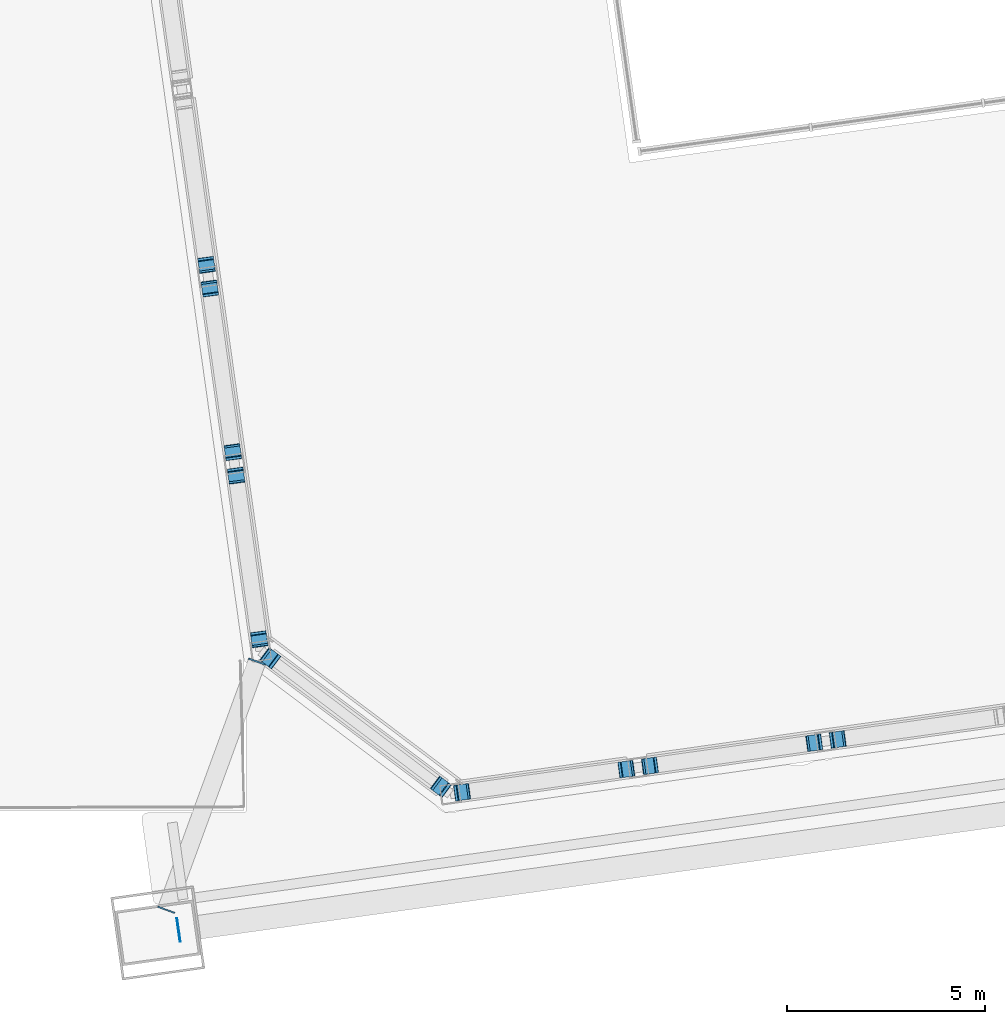
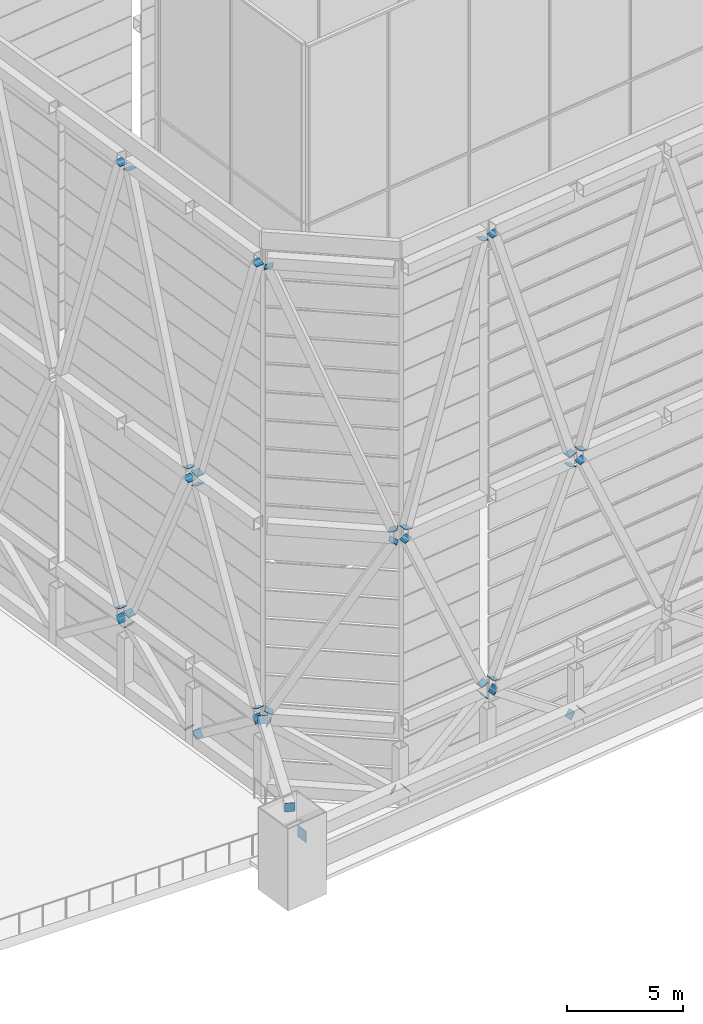
# One storey, part 36 of 45: 39 discrete accessories.
"""IFC4 building model written with IfcOpenShell, lengths in metres."""

from ifc_helpers import new_model, si_unit, direction, frame, origin, origin_2d, place, context, subcontext, project, spatial, rectangle, extrude, material, material_profile, profile_set, type_object, element, save


model = new_model("IFC4")

# Units and contexts
model_context = context("Model", 3, precision=1e-05, world=origin(), true_north=direction((0.0, 1.0)))
body_context = subcontext(model_context, "Body", "Model", "MODEL_VIEW")
ifc_project = project(units=[si_unit("LENGTHUNIT", "METRE"), si_unit("AREAUNIT", "SQUARE_METRE"), si_unit("VOLUMEUNIT", "CUBIC_METRE"), si_unit("PLANEANGLEUNIT", "RADIAN"), si_unit("MASSUNIT", "GRAM", prefix="KILO")], contexts=[model_context])

# Site, building, storey
site_placement = place(None, origin())
site = spatial("IfcSite", under=ifc_project, at=site_placement, CompositionType="ELEMENT")
building_placement = place(site_placement, origin())
building = spatial("IfcBuilding", under=site, at=building_placement, Name="Mirante Cascada Hotel Towers", CompositionType="ELEMENT")
storey_placement = place(building_placement, frame((0.0, 0.0, 269.8)))
storey = spatial("IfcBuildingStorey", under=building, at=storey_placement, Name="Roof garden", CompositionType="ELEMENT", Elevation=269.8)

# Discrete accessories
ifc_material_1 = material(Name="Steel ASTM A572 Gr 50", Category="steel")
ifc_material_profile_1 = material_profile(ifc_material_1, rectangle(XDim=0.4, YDim=0.4, at=origin_2d()), Name="Connection plate 400x400x25 ASTM A572 Gr 50")
ifc_profile_set_1 = profile_set([ifc_material_profile_1], Name="Steel ASTM A572 Gr 50")
discrete_accessory_type_1 = type_object("IfcDiscreteAccessoryType", Name="Connection plate 400x400x25 ASTM A572 Gr 50", PredefinedType="BRACKET", material=ifc_profile_set_1)
for number, where, z_axis, x_axis, name in (
    (1, (21.2609, -21.754, 0.5938), (-0.6936389, 0.5212316, 0.4971747), (-0.6007391, -0.7994451, 0.0), "Connection plate HT-D"),
    (2, (16.9553, -18.5095, 3.6938), (-0.6936389, 0.5212316, 0.4971747), (-0.6007391, -0.7994451, 0.0), "Connection plate HT-D"),
):
    element("IfcDiscreteAccessory", number, at=place(storey_placement, frame(where, z_axis=z_axis, x_axis=x_axis)), inside=storey, type_object=discrete_accessory_type_1, Name=name, PredefinedType="BRACKET", context=body_context, shape_type="SweptSolid", body=[
        extrude(rectangle(XDim=0.4, YDim=0.4, at=origin_2d()), origin(), (0.0, 0.0, 1.0), 0.0249),
    ])
discrete_accessory_1_placement = place(storey_placement, frame((16.0834, -13.8848, 0.5925), z_axis=(0.1116566, -0.7935596, 0.5981605), x_axis=(0.9902459, 0.1393311, 0.0)))
element("IfcDiscreteAccessory", 3, at=discrete_accessory_1_placement, inside=storey, type_object=discrete_accessory_type_1, Name="Connection plate HT-D", PredefinedType="BRACKET", context=body_context, shape_type="SweptSolid", body=[
    extrude(rectangle(XDim=0.4, YDim=0.4, at=origin_2d()), origin(), (0.0, 0.0, 1.0), 0.0251),
])
discrete_accessory_2_placement = place(storey_placement, frame((16.6639, -18.0155, 3.6925), z_axis=(0.1120108, -0.792076, 0.6000576), x_axis=(0.9901485, 0.140021, 0.0)))
element("IfcDiscreteAccessory", 4, at=discrete_accessory_2_placement, inside=storey, type_object=discrete_accessory_type_1, Name="Connection plate HT-D", PredefinedType="BRACKET", context=body_context, shape_type="SweptSolid", body=[
    extrude(rectangle(XDim=0.4, YDim=0.4, at=origin_2d()), origin(), (0.0, 0.0, 1.0), 0.025),
])
for number, where, z_axis, x_axis, name in (
    (5, (16.0027, -13.3106, 0.5925), (-0.1116566, 0.7935596, 0.5981605), (-0.9902459, -0.1393311, 0.0), "Connection plate HT-D"),
    (6, (15.4222, -9.18, 3.6925), (-0.1116566, 0.7935596, 0.5981605), (-0.9902459, -0.1393311, 0.0), "Connection plate HT-D"),
    (7, (15.3359, -8.5659, 3.6925), (0.1116566, -0.7935596, 0.5981605), (0.9902459, 0.1393311, 0.0), "Connection plate HT-D"),
):
    element("IfcDiscreteAccessory", number, at=place(storey_placement, frame(where, z_axis=z_axis, x_axis=x_axis)), inside=storey, type_object=discrete_accessory_type_1, Name=name, PredefinedType="BRACKET", context=body_context, shape_type="SweptSolid", body=[
        extrude(rectangle(XDim=0.4, YDim=0.4, at=origin_2d()), origin(), (0.0, 0.0, 1.0), 0.0251),
    ])
for number, where, z_axis, x_axis, name in (
    (8, (31.2608, -20.5551, 0.5926), (0.7973471, 0.1121895, 0.5930018), (-0.1393311, 0.9902459, 0.0), "Connection plate HT-D"),
    (9, (30.6865, -20.6358, 0.5926), (-0.7973471, -0.1121895, 0.5930018), (0.1393311, -0.9902459, 0.0), "Connection plate HT-D"),
    (10, (26.5398, -21.2186, 3.6926), (-0.7973471, -0.1121895, 0.5930018), (0.1393311, -0.9902459, 0.0), "Connection plate HT-D"),
    (11, (21.779, -21.8877, 0.5926), (0.7973471, 0.1121895, 0.5930018), (-0.1393311, 0.9902459, 0.0), "Connection plate HT-D"),
    (12, (25.9257, -21.3049, 3.6926), (0.7973471, 0.1121895, 0.5930018), (-0.1393311, 0.9902459, 0.0), "Connection plate HT-D"),
):
    element("IfcDiscreteAccessory", number, at=place(storey_placement, frame(where, z_axis=z_axis, x_axis=x_axis)), inside=storey, type_object=discrete_accessory_type_1, Name=name, PredefinedType="BRACKET", context=body_context, shape_type="SweptSolid", body=[
        extrude(rectangle(XDim=0.4, YDim=0.4, at=origin_2d()), origin(), (0.0, 0.0, 1.0), 0.025),
    ])
for number, where, z_axis, x_axis, name in (
    (13, (16.9417, -18.4993, 4.2892), (0.3973309, -0.3010083, 0.8669038), (0.6038577, 0.7970921, 0.0), "Connection plate CF-B"),
    (14, (21.2473, -21.7438, 13.6892), (0.3978086, -0.2973519, 0.867946), (0.5987047, 0.8009698, 0.0), "Connection plate CF-B"),
    (15, (16.666, -18.0304, 4.2886), (-0.0561439, 0.4010279, 0.9143437), (-0.9903417, -0.1386478, 0.0), "Connection plate CF-B"),
    (16, (16.0855, -13.8998, 13.6886), (-0.0561439, 0.4010279, 0.9143437), (-0.9903417, -0.1386478, 0.0), "Connection plate CF-B"),
    (17, (15.4201, -9.165, 4.2886), (0.0561439, -0.4010279, 0.9143437), (0.9903417, 0.1386478, 0.0), "Connection plate CF-B"),
    (18, (16.0006, -13.2956, 13.6886), (0.0561439, -0.4010279, 0.9143437), (0.9903417, 0.1386478, 0.0), "Connection plate CF-B"),
):
    element("IfcDiscreteAccessory", number, at=place(storey_placement, frame(where, z_axis=z_axis, x_axis=x_axis)), inside=storey, type_object=discrete_accessory_type_1, Name=name, PredefinedType="BRACKET", context=body_context, shape_type="SweptSolid", body=[
        extrude(rectangle(XDim=0.4, YDim=0.4, at=origin_2d()), origin(), (0.0, 0.0, 1.0), 0.0249),
    ])
discrete_accessory_3_placement = place(storey_placement, frame((15.338, -8.5809, 4.2886), z_axis=(-0.0560534, 0.4043852, 0.9128695), x_axis=(-0.9905294, -0.1373011, 0.0)))
element("IfcDiscreteAccessory", 19, at=discrete_accessory_3_placement, inside=storey, type_object=discrete_accessory_type_1, Name="Connection plate CF-B", PredefinedType="BRACKET", context=body_context, shape_type="SweptSolid", body=[
    extrude(rectangle(XDim=0.4, YDim=0.4, at=origin_2d()), origin(), (0.0, 0.0, 1.0), 0.025),
])
for number, where, z_axis, x_axis, name in (
    (20, (31.2757, -20.553, 13.6886), (-0.4010279, -0.0561439, 0.9143437), (0.1386478, -0.9903417, 0.0), "Connection plate CF-B"),
    (21, (26.5248, -21.2207, 4.2886), (0.4010279, 0.0561439, 0.9143437), (-0.1386478, 0.9903417, 0.0), "Connection plate CF-B"),
):
    element("IfcDiscreteAccessory", number, at=place(storey_placement, frame(where, z_axis=z_axis, x_axis=x_axis)), inside=storey, type_object=discrete_accessory_type_1, Name=name, PredefinedType="BRACKET", context=body_context, shape_type="SweptSolid", body=[
        extrude(rectangle(XDim=0.4, YDim=0.4, at=origin_2d()), origin(), (0.0, 0.0, 1.0), 0.0249),
    ])
for number, where, z_axis, x_axis, name in (
    (22, (30.6715, -20.6379, 13.6886), (0.4043852, 0.0560534, 0.9128695), (-0.1373011, 0.9905294, 0.0), "Connection plate CF-B"),
    (23, (25.9407, -21.3028, 4.2886), (-0.4043852, -0.0560534, 0.9128695), (0.1373011, -0.9905294, 0.0), "Connection plate CF-B"),
):
    element("IfcDiscreteAccessory", number, at=place(storey_placement, frame(where, z_axis=z_axis, x_axis=x_axis)), inside=storey, type_object=discrete_accessory_type_1, Name=name, PredefinedType="BRACKET", context=body_context, shape_type="SweptSolid", body=[
        extrude(rectangle(XDim=0.4, YDim=0.4, at=origin_2d()), origin(), (0.0, 0.0, 1.0), 0.025),
    ])
discrete_accessory_4_placement = place(storey_placement, frame((21.7939, -21.8856, 13.6886), z_axis=(-0.4010279, -0.0561439, 0.9143437), x_axis=(0.1386478, -0.9903417, 0.0)))
element("IfcDiscreteAccessory", 24, at=discrete_accessory_4_placement, inside=storey, type_object=discrete_accessory_type_1, Name="Connection plate CF-B", PredefinedType="BRACKET", context=body_context, shape_type="SweptSolid", body=[
    extrude(rectangle(XDim=0.4, YDim=0.4, at=origin_2d()), origin(), (0.0, 0.0, 1.0), 0.0249),
])
for number, where, z_axis, x_axis, name in (
    (25, (21.256, -21.7503, 14.2884), (-0.2997962, 0.2238478, 0.9273696), (-0.5982892, -0.8012802, 0.0), "Connection plate CF-B"),
    (26, (16.9504, -18.5058, 27.6384), (-0.2997962, 0.2238478, 0.9273696), (-0.5982892, -0.8012802, 0.0), "Connection plate CF-B"),
):
    element("IfcDiscreteAccessory", number, at=place(storey_placement, frame(where, z_axis=z_axis, x_axis=x_axis)), inside=storey, type_object=discrete_accessory_type_1, Name=name, PredefinedType="BRACKET", context=body_context, shape_type="SweptSolid", body=[
        extrude(rectangle(XDim=0.4, YDim=0.4, at=origin_2d()), origin(), (0.0, 0.0, 1.0), 0.025),
    ])
for number, where, z_axis, x_axis, name in (
    (27, (16.0843, -13.8911, 14.2881), (0.0400899, -0.2966653, 0.9541397), (0.9909924, 0.1339179, 0.0), "Connection plate CF-B"),
    (28, (16.6648, -18.0217, 27.6381), (0.0400899, -0.2966653, 0.9541397), (0.9909924, 0.1339179, 0.0), "Connection plate CF-B"),
    (29, (16.0018, -13.3043, 14.2881), (-0.0400899, 0.2966653, 0.9541397), (-0.9909924, -0.1339179, 0.0), "Connection plate CF-B"),
    (30, (15.4213, -9.1737, 27.6381), (-0.0400899, 0.2966653, 0.9541397), (-0.9909924, -0.1339179, 0.0), "Connection plate CF-B"),
    (31, (15.3368, -8.5722, 27.6381), (0.0401373, -0.2930026, 0.9552688), (0.9907474, 0.1357188, 0.0), "Connection plate CF-B"),
    (32, (31.267, -20.5542, 14.2881), (0.2966653, 0.0400899, 0.9541397), (-0.1339179, 0.9909924, 0.0), "Connection plate CF-B"),
    (33, (30.6802, -20.6367, 14.2881), (-0.2966653, -0.0400899, 0.9541397), (0.1339179, -0.9909924, 0.0), "Connection plate CF-B"),
    (34, (26.5335, -21.2195, 27.6381), (-0.2966653, -0.0400899, 0.9541397), (0.1339179, -0.9909924, 0.0), "Connection plate CF-B"),
    (35, (21.7852, -21.8868, 14.2881), (0.2966653, 0.0400899, 0.9541397), (-0.1339179, 0.9909924, 0.0), "Connection plate CF-B"),
):
    element("IfcDiscreteAccessory", number, at=place(storey_placement, frame(where, z_axis=z_axis, x_axis=x_axis)), inside=storey, type_object=discrete_accessory_type_1, Name=name, PredefinedType="BRACKET", context=body_context, shape_type="SweptSolid", body=[
        extrude(rectangle(XDim=0.4, YDim=0.4, at=origin_2d()), origin(), (0.0, 0.0, 1.0), 0.0249),
    ])
discrete_accessory_5_placement = place(storey_placement, frame((25.9319, -21.304, 27.6381), z_axis=(0.3003149, 0.040042, 0.9529993), x_axis=(-0.1321637, 0.9912279, 0.0)))
element("IfcDiscreteAccessory", 36, at=discrete_accessory_5_placement, inside=storey, type_object=discrete_accessory_type_1, Name="Connection plate CF-B", PredefinedType="BRACKET", context=body_context, shape_type="SweptSolid", body=[
    extrude(rectangle(XDim=0.4, YDim=0.4, at=origin_2d()), origin(), (0.0, 0.0, 1.0), 0.025),
])
ifc_material_2 = material(Name="Steel ASTM A572 Gr 50", Category="steel")
ifc_material_profile_2 = material_profile(ifc_material_2, rectangle(XDim=0.45, YDim=0.45, at=origin_2d()), Name="Connection plate 450x450x25 ASTM A572 Gr 50")
ifc_profile_set_2 = profile_set([ifc_material_profile_2], Name="Steel ASTM A572 Gr 50")
discrete_accessory_type_2 = type_object("IfcDiscreteAccessoryType", Name="Connection plate 450x450x25 ASTM A572 Gr 50", PredefinedType="BRACKET", material=ifc_profile_set_2)
for number, where, z_axis, x_axis, name in (
    (37, (14.3171, -24.8662, 4.0), (0.3436675, 0.9390914, 0.0), (-0.9390914, 0.3436675, 0.0), "Connection plate CF-T"),
    (38, (16.6056, -18.6003, 4.0), (0.3436675, 0.9390914, 0.0), (-0.9390914, 0.3436675, 0.0), "Connection plate CF-T"),
):
    element("IfcDiscreteAccessory", number, at=place(storey_placement, frame(where, z_axis=z_axis, x_axis=x_axis)), inside=storey, type_object=discrete_accessory_type_2, Name=name, PredefinedType="BRACKET", context=body_context, shape_type="SweptSolid", body=[
        extrude(rectangle(XDim=0.45, YDim=0.45, at=origin_2d()), origin(), (0.0, 0.0, 1.0), 0.025),
    ])
ifc_material_3 = material(Name="Steel ASTM A572 Gr 50", Category="steel")
ifc_material_profile_3 = material_profile(ifc_material_3, rectangle(XDim=0.6, YDim=0.6, at=origin_2d()), Name="Connection plate 600x600x25 ASTM A572 Gr 50")
ifc_profile_set_3 = profile_set([ifc_material_profile_3], Name="Steel ASTM A572 Gr 50")
discrete_accessory_type_3 = type_object("IfcDiscreteAccessoryType", Name="Connection plate 600x600x25 ASTM A572 Gr 50", PredefinedType="BRACKET", material=ifc_profile_set_3)
discrete_accessory_6_placement = place(storey_placement, frame((14.62, -25.3679, 2.8), z_axis=(0.9901876, 0.1397442, 0.0), x_axis=(-0.1397442, 0.9901876, 0.0)))
element("IfcDiscreteAccessory", 39, at=discrete_accessory_6_placement, inside=storey, type_object=discrete_accessory_type_3, Name="Connection plate NCH", PredefinedType="BRACKET", context=body_context, shape_type="SweptSolid", body=[
    extrude(rectangle(XDim=0.6, YDim=0.6, at=origin_2d()), origin(), (0.0, 0.0, 1.0), 0.025),
])

save(model, "model.ifc")
